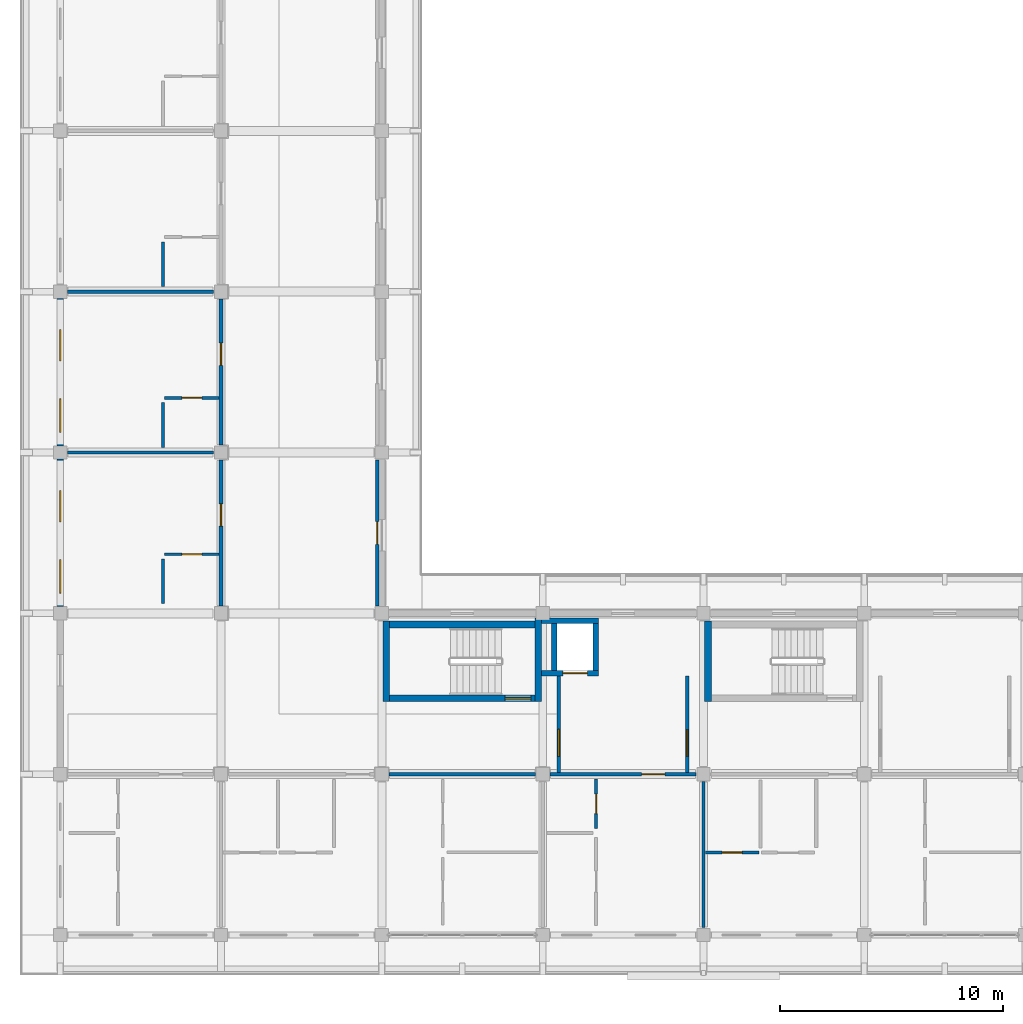
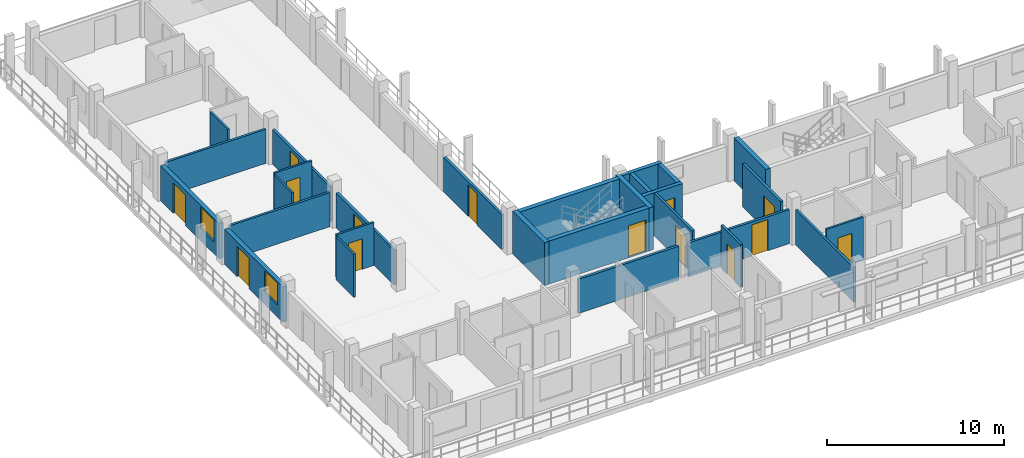
# One storey, part 114 of 157: 28 walls, 14 doors, 2 windows, 16 openings.
"""IFC4 building model written with IfcOpenShell, lengths in metres."""

from ifc_helpers import new_model, si_unit, direction, frame, frame_2d, origin, place, context, subcontext, project, spatial, rectangle, extrude, material, layer, layer_set, type_object, element, fill, save


model = new_model("IFC4")

# Units and contexts
model_context = context("Model", 3, precision=1e-05, world=origin(), true_north=direction((0.0, 1.0)))
body_context = subcontext(model_context, "Body", "Model", "MODEL_VIEW")
ifc_project = project(units=[si_unit("LENGTHUNIT", "METRE"), si_unit("AREAUNIT", "SQUARE_METRE"), si_unit("VOLUMEUNIT", "CUBIC_METRE"), si_unit("PLANEANGLEUNIT", "RADIAN"), si_unit("MASSUNIT", "GRAM", prefix="KILO")], contexts=[model_context])

# Site, building, storey
site_placement = place(None, origin())
site = spatial("IfcSite", under=ifc_project, at=site_placement, CompositionType="ELEMENT")
building_placement = place(site_placement, origin())
building = spatial("IfcBuilding", under=site, at=building_placement, Name="Suanplinth Sawtooth Commons", CompositionType="ELEMENT")
storey_placement = place(building_placement, frame((0.0, 0.0, 9.0)))
storey = spatial("IfcBuildingStorey", under=building, at=storey_placement, Name="L02", CompositionType="ELEMENT", Elevation=9.0)

# Wall, opening, door
ifc_material_1 = material(Name="Concrete C40/50", Category="concrete")
ifc_layer_1 = layer(ifc_material_1, 0.300048828125, Name="Standard RC stair and lift core wall 300mm")
ifc_layer_set_1 = layer_set([ifc_layer_1], Name="Concrete C40/50")
wall_type_1 = type_object("IfcWallType", Name="W-CR02", PredefinedType="SHEAR", material=ifc_layer_set_1)
wall_1_placement = place(storey_placement, frame((14.75, 10.60009765625, 0.0), z_axis=(0.0, 0.0, 1.0), x_axis=(1.0, 0.0, 0.0)))
wall_1 = element("IfcWall", 1, at=wall_1_placement, inside=storey, type_object=wall_type_1, Name="W-L02-C-D1-STS", PredefinedType="SHEAR", context=body_context, shape_type="SweptSolid", body=[
    extrude(rectangle(XDim=6.5, YDim=0.300048828125, at=frame_2d((3.25, 0.0))), origin(), (0.0, 0.0, 1.0), 2.9599609375),
])
opening_1_placement = place(wall_1_placement, frame((5.169921875, 0.0, 0.0)))
opening_1 = element("IfcOpeningElement", 2, at=opening_1_placement, cuts=wall_1, Name="Opening FD0369", PredefinedType="OPENING", context=body_context, shape_type="SweptSolid", body=[
    extrude(rectangle(XDim=1.14990234375, YDim=2.199951171875, at=frame_2d((0.574951171875, 1.10009765625))), frame((0.0, 0.1650390625, 0.0), z_axis=(0.0, -1.0, 0.0), x_axis=(1.0, 0.0, 0.0)), (0.0, 0.0, 1.0), 0.329833984375),
])
ifc_material_2 = material(Name="Teak hardwood fire-rated door assembly", Category="wood")
door_type_1 = type_object("IfcDoorType", Name="FD-01", OperationType="NOTDEFINED", PredefinedType="DOOR", material=ifc_material_2)
door_1_placement = place(opening_1_placement, origin())
door_1 = element("IfcDoor", 3, at=door_1_placement, inside=storey, type_object=door_type_1, Name="Exit Stair Fire Door FD0369", OperationType="SINGLE_SWING_LEFT", OverallHeight=2.199951171875, OverallWidth=1.14990234375, PredefinedType="DOOR", context=body_context, shape_type="SweptSolid", body=[
    extrude(rectangle(XDim=1.14990234375, YDim=2.199951171875, at=frame_2d((0.574951171875, 1.10009765625))), frame((0.0, 0.02490234375, 0.0), z_axis=(0.0, -1.0, 0.0), x_axis=(1.0, 0.0, 0.0)), (0.0, 0.0, 1.0), 0.050048828125),
])
fill(opening_1, door_1)

# Walls
wall_2_placement = place(storey_placement, frame((14.75, 13.89990234375, 0.0), z_axis=(0.0, 0.0, 1.0), x_axis=(1.0, 0.0, 0.0)))
element("IfcWall", 4, at=wall_2_placement, inside=storey, type_object=wall_type_1, Name="W-L02-C-D1-STN", PredefinedType="SHEAR", context=body_context, shape_type="SweptSolid", body=[
    extrude(rectangle(XDim=6.5, YDim=0.300048828125, at=frame_2d((3.25, 0.0))), origin(), (0.0, 0.0, 1.0), 2.9599609375),
])
wall_3_placement = place(storey_placement, frame((14.60009765625, 10.449951171875, 0.0), z_axis=(0.0, 0.0, 1.0), x_axis=(0.0, 1.0, 0.0)))
element("IfcWall", 5, at=wall_3_placement, inside=storey, type_object=wall_type_1, Name="W-L02-C-D1-STW", PredefinedType="SHEAR", context=body_context, shape_type="SweptSolid", body=[
    extrude(rectangle(XDim=3.60009765625, YDim=0.300048828125, at=frame_2d((1.800048828125, 0.0))), origin(), (0.0, 0.0, 1.0), 2.9599609375),
])
wall_4_placement = place(storey_placement, frame((21.39990234375, 10.449951171875, 0.0), z_axis=(0.0, 0.0, 1.0), x_axis=(0.0, 1.0, 0.0)))
element("IfcWall", 6, at=wall_4_placement, inside=storey, type_object=wall_type_1, Name="W-L02-C-D1-STE", PredefinedType="SHEAR", context=body_context, shape_type="SweptSolid", body=[
    extrude(rectangle(XDim=3.75, YDim=0.300048828125, at=frame_2d((1.875, 0.0))), origin(), (0.0, 0.0, 1.0), 2.9599609375),
])
wall_5_placement = place(storey_placement, frame((29.0, 10.449951171875, 0.0), z_axis=(0.0, 0.0, 1.0), x_axis=(0.0, 1.0, 0.0)))
element("IfcWall", 7, at=wall_5_placement, inside=storey, type_object=wall_type_1, Name="W-L02-C-D2-STW", PredefinedType="SHEAR", context=body_context, shape_type="SweptSolid", body=[
    extrude(rectangle(XDim=3.60009765625, YDim=0.300048828125, at=frame_2d((1.800048828125, 0.0))), origin(), (0.0, 0.0, 1.0), 2.9599609375),
])

# Wall, openings, door, window
ifc_material_3 = material(Name="Precast concrete C40/50", Category="concrete")
ifc_layer_2 = layer(ifc_material_3, 0.280029296875, Name="Insulated precast architectural facade wall 280mm")
ifc_layer_set_2 = layer_set([ifc_layer_2], Name="Precast concrete C40/50")
wall_type_2 = type_object("IfcWallType", Name="W-EX01", PredefinedType="ELEMENTEDWALL", material=ifc_layer_set_2)
wall_6_placement = place(storey_placement, frame((0.0, 14.699951171875, 0.0), z_axis=(0.0, 0.0, 1.0), x_axis=(0.0, 1.0, 0.0)))
wall_6 = element("IfcWall", 8, at=wall_6_placement, inside=storey, type_object=wall_type_2, Name="Facade Wall W-L02-D-W-0-2", PredefinedType="ELEMENTEDWALL", context=body_context, shape_type="SweptSolid", body=[
    extrude(rectangle(XDim=6.60009765625, YDim=0.280029296875, at=frame_2d((3.300048828125, 0.0))), origin(), (0.0, 0.0, 1.0), 2.425048828125),
])
opening_2_placement = place(wall_6_placement, frame((3.800048828125, 0.0, 0.0)))
opening_2 = element("IfcOpeningElement", 9, at=opening_2_placement, cuts=wall_6, Name="Opening ED0202", PredefinedType="OPENING", context=body_context, shape_type="SweptSolid", body=[
    extrude(rectangle(XDim=1.39990234375, YDim=2.10009765625, at=frame_2d((0.699951171875, 1.050048828125))), frame((0.0, 0.15478515625, 0.0), z_axis=(0.0, -1.0, 0.0), x_axis=(1.0, 0.0, 0.0)), (0.0, 0.0, 1.0), 0.309814453125),
])
opening_3_placement = place(wall_6_placement, frame((0.60009765625, 0.0, 0.81494140625)))
opening_3 = element("IfcOpeningElement", 10, at=opening_3_placement, cuts=wall_6, Name="Opening W0314", PredefinedType="OPENING", context=body_context, shape_type="SweptSolid", body=[
    extrude(rectangle(XDim=1.5, YDim=1.5, at=frame_2d((0.75, 0.75))), frame((0.0, 0.15478515625, 0.0), z_axis=(0.0, -1.0, 0.0), x_axis=(1.0, 0.0, 0.0)), (0.0, 0.0, 1.0), 0.309814453125),
])
ifc_material_4 = material(Name="Anodized aluminium and low-E glass", Category="aluminium")
door_type_2 = type_object("IfcDoorType", Name="SD-07", OperationType="SLIDING_TO_RIGHT", PredefinedType="DOOR", material=ifc_material_4)
door_2_placement = place(opening_2_placement, frame((1.39990234375, 0.0, 0.0), z_axis=(0.0, 0.0, 1.0), x_axis=(-1.0, 0.0, 0.0)))
door_2 = element("IfcDoor", 11, at=door_2_placement, inside=storey, type_object=door_type_2, Name="Wing Balcony Sliding Door L02-D-2", OperationType="SLIDING_TO_RIGHT", OverallHeight=2.10009765625, OverallWidth=1.39990234375, PredefinedType="DOOR", context=body_context, shape_type="SweptSolid", body=[
    extrude(rectangle(XDim=1.39990234375, YDim=2.10009765625, at=frame_2d((0.699951171875, 1.050048828125))), frame((0.0, 0.02490234375, 0.0), z_axis=(0.0, -1.0, 0.0), x_axis=(1.0, 0.0, 0.0)), (0.0, 0.0, 1.0), 0.050048828125),
])
fill(opening_2, door_2)
ifc_material_5 = material(Name="Thermally broken aluminium and low-E double glazing", Category="aluminium")
window_type = type_object("IfcWindowType", Name="WN-02", PartitioningType="DOUBLE_PANEL_VERTICAL", PredefinedType="WINDOW", material=ifc_material_5)
window_1_placement = place(opening_3_placement, origin())
window_1 = element("IfcWindow", 12, at=window_1_placement, inside=storey, type_object=window_type, Name="Wing Window L02-D-2", OverallHeight=1.5, OverallWidth=1.5, PartitioningType="DOUBLE_PANEL_VERTICAL", PredefinedType="WINDOW", context=body_context, shape_type="SweptSolid", body=[
    extrude(rectangle(XDim=1.5, YDim=1.5, at=frame_2d((0.75, 0.75))), frame((0.0, 0.030029296875, 0.0), z_axis=(0.0, -1.0, 0.0), x_axis=(1.0, 0.0, 0.0)), (0.0, 0.0, 1.0), 0.06005859375),
])
fill(opening_3, window_1)

wall_7_placement = place(storey_placement, frame((0.0, 21.89990234375, 0.0), z_axis=(0.0, 0.0, 1.0), x_axis=(0.0, 1.0, 0.0)))
wall_7 = element("IfcWall", 13, at=wall_7_placement, inside=storey, type_object=wall_type_2, Name="Facade Wall W-L02-D-W-0-3", PredefinedType="ELEMENTEDWALL", context=body_context, shape_type="SweptSolid", body=[
    extrude(rectangle(XDim=6.60009765625, YDim=0.280029296875, at=frame_2d((3.300048828125, 0.0))), origin(), (0.0, 0.0, 1.0), 2.425048828125),
])
opening_4_placement = place(wall_7_placement, frame((3.800048828125, 0.0, 0.0)))
opening_4 = element("IfcOpeningElement", 14, at=opening_4_placement, cuts=wall_7, Name="Opening ED0203", PredefinedType="OPENING", context=body_context, shape_type="SweptSolid", body=[
    extrude(rectangle(XDim=1.39990234375, YDim=2.10009765625, at=frame_2d((0.699951171875, 1.050048828125))), frame((0.0, 0.15478515625, 0.0), z_axis=(0.0, -1.0, 0.0), x_axis=(1.0, 0.0, 0.0)), (0.0, 0.0, 1.0), 0.309814453125),
])
opening_5_placement = place(wall_7_placement, frame((0.60009765625, 0.0, 0.81494140625)))
opening_5 = element("IfcOpeningElement", 15, at=opening_5_placement, cuts=wall_7, Name="Opening W0315", PredefinedType="OPENING", context=body_context, shape_type="SweptSolid", body=[
    extrude(rectangle(XDim=1.5, YDim=1.5, at=frame_2d((0.75, 0.75))), frame((0.0, 0.15478515625, 0.0), z_axis=(0.0, -1.0, 0.0), x_axis=(1.0, 0.0, 0.0)), (0.0, 0.0, 1.0), 0.309814453125),
])
door_3_placement = place(opening_4_placement, frame((1.39990234375, 0.0, 0.0), z_axis=(0.0, 0.0, 1.0), x_axis=(-1.0, 0.0, 0.0)))
door_3 = element("IfcDoor", 16, at=door_3_placement, inside=storey, type_object=door_type_2, Name="Wing Balcony Sliding Door L02-D-3", OperationType="SLIDING_TO_RIGHT", OverallHeight=2.10009765625, OverallWidth=1.39990234375, PredefinedType="DOOR", context=body_context, shape_type="SweptSolid", body=[
    extrude(rectangle(XDim=1.39990234375, YDim=2.10009765625, at=frame_2d((0.699951171875, 1.050048828125))), frame((0.0, 0.02490234375, 0.0), z_axis=(0.0, -1.0, 0.0), x_axis=(1.0, 0.0, 0.0)), (0.0, 0.0, 1.0), 0.050048828125),
])
fill(opening_4, door_3)
window_2_placement = place(opening_5_placement, origin())
window_2 = element("IfcWindow", 17, at=window_2_placement, inside=storey, type_object=window_type, Name="Wing Window L02-D-3", OverallHeight=1.5, OverallWidth=1.5, PartitioningType="DOUBLE_PANEL_VERTICAL", PredefinedType="WINDOW", context=body_context, shape_type="SweptSolid", body=[
    extrude(rectangle(XDim=1.5, YDim=1.5, at=frame_2d((0.75, 0.75))), frame((0.0, 0.030029296875, 0.0), z_axis=(0.0, -1.0, 0.0), x_axis=(1.0, 0.0, 0.0)), (0.0, 0.0, 1.0), 0.06005859375),
])
fill(opening_5, window_2)

# Wall, opening, door
ifc_layer_3 = layer(ifc_material_3, 0.159912109375, Name="Fire-rated corridor and lobby wall 160mm")
ifc_layer_set_3 = layer_set([ifc_layer_3], Name="Precast concrete C40/50")
wall_type_3 = type_object("IfcWallType", Name="W-FW01", PredefinedType="PARTITIONING", material=ifc_layer_set_3)
wall_8_placement = place(storey_placement, frame((22.320068359375, 7.280029296875, 0.0), z_axis=(0.0, 0.0, 1.0), x_axis=(0.0, 1.0, 0.0)))
wall_8 = element("IfcWall", 18, at=wall_8_placement, inside=storey, type_object=wall_type_3, Name="W-L02-C-D1-LOB-W", PredefinedType="PARTITIONING", context=body_context, shape_type="SweptSolid", body=[
    extrude(rectangle(XDim=4.320068359375, YDim=0.159912109375, at=frame_2d((2.16015625, 0.0))), origin(), (0.0, 0.0, 1.0), 2.9599609375),
])
opening_6_placement = place(wall_8_placement, frame((0.719970703125, 0.0, 0.0)))
opening_6 = element("IfcOpeningElement", 19, at=opening_6_placement, cuts=wall_8, Name="Opening FD0370", PredefinedType="OPENING", context=body_context, shape_type="SweptSolid", body=[
    extrude(rectangle(XDim=1.199951171875, YDim=2.199951171875, at=frame_2d((0.60009765625, 1.10009765625))), frame((0.0, 0.0947265625, 0.0), z_axis=(0.0, -1.0, 0.0), x_axis=(1.0, 0.0, 0.0)), (0.0, 0.0, 1.0), 0.189697265625),
])
door_type_3 = type_object("IfcDoorType", Name="FD-02", OperationType="NOTDEFINED", PredefinedType="DOOR", material=ifc_material_2)
door_4_placement = place(opening_6_placement, origin())
door_4 = element("IfcDoor", 20, at=door_4_placement, inside=storey, type_object=door_type_3, Name="Lobby Fire Door FD0370", OperationType="SINGLE_SWING_RIGHT", OverallHeight=2.199951171875, OverallWidth=1.199951171875, PredefinedType="DOOR", context=body_context, shape_type="SweptSolid", body=[
    extrude(rectangle(XDim=1.199951171875, YDim=2.199951171875, at=frame_2d((0.60009765625, 1.10009765625))), frame((0.0, 0.02490234375, 0.0), z_axis=(0.0, -1.0, 0.0), x_axis=(1.0, 0.0, 0.0)), (0.0, 0.0, 1.0), 0.050048828125),
])
fill(opening_6, door_4)

wall_9_placement = place(storey_placement, frame((28.080078125, 7.280029296875, 0.0), z_axis=(0.0, 0.0, 1.0), x_axis=(0.0, 1.0, 0.0)))
wall_9 = element("IfcWall", 21, at=wall_9_placement, inside=storey, type_object=wall_type_3, Name="W-L02-C-D1-LOB-E", PredefinedType="PARTITIONING", context=body_context, shape_type="SweptSolid", body=[
    extrude(rectangle(XDim=4.320068359375, YDim=0.159912109375, at=frame_2d((2.16015625, 0.0))), origin(), (0.0, 0.0, 1.0), 2.9599609375),
])
opening_7_placement = place(wall_9_placement, frame((0.719970703125, 0.0, 0.0)))
opening_7 = element("IfcOpeningElement", 22, at=opening_7_placement, cuts=wall_9, Name="Opening FD0371", PredefinedType="OPENING", context=body_context, shape_type="SweptSolid", body=[
    extrude(rectangle(XDim=1.199951171875, YDim=2.199951171875, at=frame_2d((0.60009765625, 1.10009765625))), frame((0.0, 0.0947265625, 0.0), z_axis=(0.0, -1.0, 0.0), x_axis=(1.0, 0.0, 0.0)), (0.0, 0.0, 1.0), 0.189697265625),
])
door_5_placement = place(opening_7_placement, frame((1.199951171875, 0.0, 0.0), z_axis=(0.0, 0.0, 1.0), x_axis=(-1.0, 0.0, 0.0)))
door_5 = element("IfcDoor", 23, at=door_5_placement, inside=storey, type_object=door_type_3, Name="Lobby Fire Door FD0371", OperationType="SINGLE_SWING_LEFT", OverallHeight=2.199951171875, OverallWidth=1.199951171875, PredefinedType="DOOR", context=body_context, shape_type="SweptSolid", body=[
    extrude(rectangle(XDim=1.199951171875, YDim=2.199951171875, at=frame_2d((0.60009765625, 1.10009765625))), frame((0.0, 0.02490234375, 0.0), z_axis=(0.0, -1.0, 0.0), x_axis=(1.0, 0.0, 0.0)), (0.0, 0.0, 1.0), 0.050048828125),
])
fill(opening_7, door_5)

# Wall
wall_10_placement = place(storey_placement, frame((14.72998046875, 7.199951171875, 0.0), z_axis=(0.0, 0.0, 1.0), x_axis=(1.0, 0.0, 0.0)))
element("IfcWall", 24, at=wall_10_placement, inside=storey, type_object=wall_type_3, Name="W-D-L02-U02-COR-S2", PredefinedType="PARTITIONING", context=body_context, shape_type="SweptSolid", body=[
    extrude(rectangle(XDim=6.5400390625, YDim=0.159912109375, at=frame_2d((3.27001953125, 0.0))), origin(), (0.0, 0.0, 1.0), 2.344970703125),
])

# Wall, opening, door
wall_11_placement = place(storey_placement, frame((21.929931640625, 7.199951171875, 0.0), z_axis=(0.0, 0.0, 1.0), x_axis=(1.0, 0.0, 0.0)))
wall_11 = element("IfcWall", 25, at=wall_11_placement, inside=storey, type_object=wall_type_3, Name="W-D-L02-U03-COR", PredefinedType="PARTITIONING", context=body_context, shape_type="SweptSolid", body=[
    extrude(rectangle(XDim=6.5400390625, YDim=0.159912109375, at=frame_2d((3.27001953125, 0.0))), origin(), (0.0, 0.0, 1.0), 2.344970703125),
])
opening_8_placement = place(wall_11_placement, frame((4.094970703125, 0.0, 0.0)))
opening_8 = element("IfcOpeningElement", 26, at=opening_8_placement, cuts=wall_11, Name="Opening FD0837", PredefinedType="OPENING", context=body_context, shape_type="SweptSolid", body=[
    extrude(rectangle(XDim=1.050048828125, YDim=2.14990234375, at=frame_2d((0.52490234375, 1.074951171875))), frame((0.0, 0.0947265625, 0.0), z_axis=(0.0, -1.0, 0.0), x_axis=(1.0, 0.0, 0.0)), (0.0, 0.0, 1.0), 0.189697265625),
])
door_type_4 = type_object("IfcDoorType", Name="FD-04", OperationType="NOTDEFINED", PredefinedType="DOOR", material=ifc_material_2)
door_6_placement = place(opening_8_placement, frame((1.050048828125, 0.0, 0.0), z_axis=(0.0, 0.0, 1.0), x_axis=(-1.0, 0.0, 0.0)))
door_6 = element("IfcDoor", 27, at=door_6_placement, inside=storey, type_object=door_type_4, Name="Unit Entrance Door FD0837", OperationType="SINGLE_SWING_LEFT", OverallHeight=2.14990234375, OverallWidth=1.050048828125, PredefinedType="DOOR", context=body_context, shape_type="SweptSolid", body=[
    extrude(rectangle(XDim=1.050048828125, YDim=2.14990234375, at=frame_2d((0.52490234375, 1.074951171875))), frame((0.0, 0.02490234375, 0.0), z_axis=(0.0, -1.0, 0.0), x_axis=(1.0, 0.0, 0.0)), (0.0, 0.0, 1.0), 0.050048828125),
])
fill(opening_8, door_6)

wall_12_placement = place(storey_placement, frame((7.199951171875, 14.72998046875, 0.0), z_axis=(0.0, 0.0, 1.0), x_axis=(0.0, 1.0, 0.0)))
wall_12 = element("IfcWall", 28, at=wall_12_placement, inside=storey, type_object=wall_type_3, Name="W-D-L02-L01-COR", PredefinedType="PARTITIONING", context=body_context, shape_type="SweptSolid", body=[
    extrude(rectangle(XDim=6.5400390625, YDim=0.159912109375, at=frame_2d((3.27001953125, 0.0))), origin(), (0.0, 0.0, 1.0), 2.39501953125),
])
opening_9_placement = place(wall_12_placement, frame((3.570068359375, 0.0, 0.0)))
opening_9 = element("IfcOpeningElement", 29, at=opening_9_placement, cuts=wall_12, Name="Opening FD0854", PredefinedType="OPENING", context=body_context, shape_type="SweptSolid", body=[
    extrude(rectangle(XDim=1.0, YDim=2.14990234375, at=frame_2d((0.5, 1.074951171875))), frame((0.0, 0.0947265625, 0.0), z_axis=(0.0, -1.0, 0.0), x_axis=(1.0, 0.0, 0.0)), (0.0, 0.0, 1.0), 0.189697265625),
])
door_type_5 = type_object("IfcDoorType", Name="FD-03", OperationType="NOTDEFINED", PredefinedType="DOOR", material=ifc_material_2)
door_7_placement = place(opening_9_placement, origin())
door_7 = element("IfcDoor", 30, at=door_7_placement, inside=storey, type_object=door_type_5, Name="Wing Unit Entrance Door FD0854", OperationType="SINGLE_SWING_RIGHT", OverallHeight=2.14990234375, OverallWidth=1.0, PredefinedType="DOOR", context=body_context, shape_type="SweptSolid", body=[
    extrude(rectangle(XDim=1.0, YDim=2.14990234375, at=frame_2d((0.5, 1.074951171875))), frame((0.0, 0.02490234375, 0.0), z_axis=(0.0, -1.0, 0.0), x_axis=(1.0, 0.0, 0.0)), (0.0, 0.0, 1.0), 0.050048828125),
])
fill(opening_9, door_7)

wall_13_placement = place(storey_placement, frame((14.199951171875, 14.72998046875, 0.0), z_axis=(0.0, 0.0, 1.0), x_axis=(0.0, 1.0, 0.0)))
wall_13 = element("IfcWall", 31, at=wall_13_placement, inside=storey, type_object=wall_type_3, Name="W-D-L02-LEGCOURTROOM-69-COR", PredefinedType="PARTITIONING", context=body_context, shape_type="SweptSolid", body=[
    extrude(rectangle(XDim=6.5400390625, YDim=0.159912109375, at=frame_2d((3.27001953125, 0.0))), origin(), (0.0, 0.0, 1.0), 2.39501953125),
])
opening_10_placement = place(wall_13_placement, frame((2.760009765625, 0.0, 0.0)))
opening_10 = element("IfcOpeningElement", 32, at=opening_10_placement, cuts=wall_13, Name="Opening D0856", PredefinedType="OPENING", context=body_context, shape_type="SweptSolid", body=[
    extrude(rectangle(XDim=1.02001953125, YDim=2.179931640625, at=frame_2d((0.510009765625, 1.08984375))), frame((0.0, 0.0947265625, 0.0), z_axis=(0.0, -1.0, 0.0), x_axis=(1.0, 0.0, 0.0)), (0.0, 0.0, 1.0), 0.189697265625),
])
ifc_material_6 = material(Name="Teak hardwood", Category="wood")
door_type_6 = type_object("IfcDoorType", Name="D-16", OperationType="NOTDEFINED", PredefinedType="DOOR", material=ifc_material_6)
door_8_placement = place(opening_10_placement, frame((1.02001953125, 0.0, 0.0), z_axis=(0.0, 0.0, 1.0), x_axis=(-1.0, 0.0, 0.0)))
door_8 = element("IfcDoor", 33, at=door_8_placement, inside=storey, type_object=door_type_6, Name="Veranda Studio Door D0856", OperationType="SINGLE_SWING_RIGHT", OverallHeight=2.179931640625, OverallWidth=1.02001953125, PredefinedType="DOOR", context=body_context, shape_type="SweptSolid", body=[
    extrude(rectangle(XDim=1.02001953125, YDim=2.179931640625, at=frame_2d((0.510009765625, 1.08984375))), frame((0.0, 0.02490234375, 0.0), z_axis=(0.0, -1.0, 0.0), x_axis=(1.0, 0.0, 0.0)), (0.0, 0.0, 1.0), 0.050048828125),
])
fill(opening_10, door_8)

wall_14_placement = place(storey_placement, frame((7.199951171875, 21.929931640625, 0.0), z_axis=(0.0, 0.0, 1.0), x_axis=(0.0, 1.0, 0.0)))
wall_14 = element("IfcWall", 34, at=wall_14_placement, inside=storey, type_object=wall_type_3, Name="W-D-L02-L02-COR", PredefinedType="PARTITIONING", context=body_context, shape_type="SweptSolid", body=[
    extrude(rectangle(XDim=6.5400390625, YDim=0.159912109375, at=frame_2d((3.27001953125, 0.0))), origin(), (0.0, 0.0, 1.0), 2.39501953125),
])
opening_11_placement = place(wall_14_placement, frame((3.570068359375, 0.0, 0.0)))
opening_11 = element("IfcOpeningElement", 35, at=opening_11_placement, cuts=wall_14, Name="Opening FD0857", PredefinedType="OPENING", context=body_context, shape_type="SweptSolid", body=[
    extrude(rectangle(XDim=1.0, YDim=2.14990234375, at=frame_2d((0.5, 1.074951171875))), frame((0.0, 0.0947265625, 0.0), z_axis=(0.0, -1.0, 0.0), x_axis=(1.0, 0.0, 0.0)), (0.0, 0.0, 1.0), 0.189697265625),
])
door_9_placement = place(opening_11_placement, origin())
door_9 = element("IfcDoor", 36, at=door_9_placement, inside=storey, type_object=door_type_5, Name="Wing Unit Entrance Door FD0857", OperationType="SINGLE_SWING_LEFT", OverallHeight=2.14990234375, OverallWidth=1.0, PredefinedType="DOOR", context=body_context, shape_type="SweptSolid", body=[
    extrude(rectangle(XDim=1.0, YDim=2.14990234375, at=frame_2d((0.5, 1.074951171875))), frame((0.0, 0.02490234375, 0.0), z_axis=(0.0, -1.0, 0.0), x_axis=(1.0, 0.0, 0.0)), (0.0, 0.0, 1.0), 0.050048828125),
])
fill(opening_11, door_9)

# Walls
ifc_layer_4 = layer(ifc_material_3, 0.14990234375, Name="Acoustic precast party demising wall 150mm")
ifc_layer_set_4 = layer_set([ifc_layer_4], Name="Precast concrete C40/50")
wall_type_4 = type_object("IfcWallType", Name="W-FW02", PredefinedType="PARTITIONING", material=ifc_layer_set_4)
wall_15_placement = place(storey_placement, frame((28.800048828125, 0.330078125, 0.0), z_axis=(0.0, 0.0, 1.0), x_axis=(0.0, 1.0, 0.0)))
element("IfcWall", 37, at=wall_15_placement, inside=storey, type_object=wall_type_4, Name="W-D-L02-U03-PTY", PredefinedType="PARTITIONING", context=body_context, shape_type="SweptSolid", body=[
    extrude(rectangle(XDim=6.5400390625, YDim=0.14990234375, at=frame_2d((3.27001953125, 0.0))), origin(), (0.0, 0.0, 1.0), 2.39501953125),
])
for number, where, z_axis, x_axis, name in (
    (38, (0.330078125, 21.60009765625, 0.0), (0.0, 0.0, 1.0), (1.0, 0.0, 0.0), "W-D-L02-L01-PTY"),
    (39, (0.330078125, 28.800048828125, 0.0), (0.0, 0.0, 1.0), (1.0, 0.0, 0.0), "W-D-L02-L02-PTY"),
):
    element("IfcWall", number, at=place(storey_placement, frame(where, z_axis=z_axis, x_axis=x_axis)), inside=storey, type_object=wall_type_4, Name=name, PredefinedType="PARTITIONING", context=body_context, shape_type="SweptSolid", body=[
        extrude(rectangle(XDim=6.5400390625, YDim=0.14990234375, at=frame_2d((3.27001953125, 0.0))), origin(), (0.0, 0.0, 1.0), 2.344970703125),
    ])

# Wall, opening, door
ifc_material_7 = material(Name="Gypsum plasterboard on steel stud", Category="steel")
ifc_layer_5 = layer(ifc_material_7, 0.1298828125, Name="Moisture-resistant bathroom partition 130mm")
ifc_layer_set_5 = layer_set([ifc_layer_5], Name="Gypsum plasterboard on steel stud")
wall_type_5 = type_object("IfcWallType", Name="W-PT02", PredefinedType="PARTITIONING", material=ifc_layer_set_5)
wall_16_placement = place(storey_placement, frame((23.9951171875, 4.760009765625, 0.0), z_axis=(0.0, 0.0, 1.0), x_axis=(0.0, 1.0, 0.0)))
wall_16 = element("IfcWall", 40, at=wall_16_placement, inside=storey, type_object=wall_type_5, Name="W-D-L02-U03-BTHE", PredefinedType="PARTITIONING", context=body_context, shape_type="SweptSolid", body=[
    extrude(rectangle(XDim=2.219970703125, YDim=0.1298828125, at=frame_2d((1.10986328125, 0.0))), origin(), (0.0, 0.0, 1.0), 2.9599609375),
])
opening_12_placement = place(wall_16_placement, frame((0.669921875, 0.0, 0.0)))
opening_12 = element("IfcOpeningElement", 41, at=opening_12_placement, cuts=wall_16, Name="Opening D0838", PredefinedType="OPENING", context=body_context, shape_type="SweptSolid", body=[
    extrude(rectangle(XDim=0.8798828125, YDim=2.10009765625, at=frame_2d((0.43994140625, 1.050048828125))), frame((0.0, 0.079833984375, 0.0), z_axis=(0.0, -1.0, 0.0), x_axis=(1.0, 0.0, 0.0)), (0.0, 0.0, 1.0), 0.15966796875),
])
door_type_7 = type_object("IfcDoorType", Name="D-14", OperationType="NOTDEFINED", PredefinedType="DOOR", material=ifc_material_6)
door_10_placement = place(opening_12_placement, origin())
door_10 = element("IfcDoor", 42, at=door_10_placement, inside=storey, type_object=door_type_7, Name="Bathroom Door D0838", OperationType="SINGLE_SWING_RIGHT", OverallHeight=2.10009765625, OverallWidth=0.8798828125, PredefinedType="DOOR", context=body_context, shape_type="SweptSolid", body=[
    extrude(rectangle(XDim=0.8798828125, YDim=2.10009765625, at=frame_2d((0.43994140625, 1.050048828125))), frame((0.0, 0.02490234375, 0.0), z_axis=(0.0, -1.0, 0.0), x_axis=(1.0, 0.0, 0.0)), (0.0, 0.0, 1.0), 0.050048828125),
])
fill(opening_12, door_10)

wall_17_placement = place(storey_placement, frame((28.8798828125, 3.695068359375, 0.0), z_axis=(0.0, 0.0, 1.0), x_axis=(1.0, 0.0, 0.0)))
wall_17 = element("IfcWall", 43, at=wall_17_placement, inside=storey, type_object=wall_type_5, Name="W-D-L02-U04-BTH1", PredefinedType="PARTITIONING", context=body_context, shape_type="SweptSolid", body=[
    extrude(rectangle(XDim=2.400146484375, YDim=0.1298828125, at=frame_2d((1.2001953125, 0.0))), origin(), (0.0, 0.0, 1.0), 2.9599609375),
])
opening_13_placement = place(wall_17_placement, frame((0.75, 0.0, 0.0)))
opening_13 = element("IfcOpeningElement", 44, at=opening_13_placement, cuts=wall_17, Name="Opening D0841", PredefinedType="OPENING", context=body_context, shape_type="SweptSolid", body=[
    extrude(rectangle(XDim=0.89990234375, YDim=2.10009765625, at=frame_2d((0.449951171875, 1.050048828125))), frame((0.0, 0.079833984375, 0.0), z_axis=(0.0, -1.0, 0.0), x_axis=(1.0, 0.0, 0.0)), (0.0, 0.0, 1.0), 0.15966796875),
])
door_type_8 = type_object("IfcDoorType", Name="D-01", OperationType="NOTDEFINED", PredefinedType="DOOR", material=ifc_material_6)
door_11_placement = place(opening_13_placement, origin())
door_11 = element("IfcDoor", 45, at=door_11_placement, inside=storey, type_object=door_type_8, Name="Bathroom Door D0841", OperationType="SINGLE_SWING_LEFT", OverallHeight=2.10009765625, OverallWidth=0.89990234375, PredefinedType="DOOR", context=body_context, shape_type="SweptSolid", body=[
    extrude(rectangle(XDim=0.89990234375, YDim=2.10009765625, at=frame_2d((0.449951171875, 1.050048828125))), frame((0.0, 0.02490234375, 0.0), z_axis=(0.0, -1.0, 0.0), x_axis=(1.0, 0.0, 0.0)), (0.0, 0.0, 1.0), 0.050048828125),
])
fill(opening_13, door_11)

wall_18_placement = place(storey_placement, frame((4.669921875, 17.044921875, 0.0), z_axis=(0.0, 0.0, 1.0), x_axis=(1.0, 0.0, 0.0)))
wall_18 = element("IfcWall", 46, at=wall_18_placement, inside=storey, type_object=wall_type_5, Name="W-D-L02-L01-BTH1", PredefinedType="PARTITIONING", context=body_context, shape_type="SweptSolid", body=[
    extrude(rectangle(XDim=2.4501953125, YDim=0.1298828125, at=frame_2d((1.22509765625, 0.0))), origin(), (0.0, 0.0, 1.0), 2.9599609375),
])
opening_14_placement = place(wall_18_placement, frame((0.77490234375, 0.0, 0.0)))
opening_14 = element("IfcOpeningElement", 47, at=opening_14_placement, cuts=wall_18, Name="Opening D0855", PredefinedType="OPENING", context=body_context, shape_type="SweptSolid", body=[
    extrude(rectangle(XDim=0.89990234375, YDim=2.10009765625, at=frame_2d((0.449951171875, 1.050048828125))), frame((0.0, 0.079833984375, 0.0), z_axis=(0.0, -1.0, 0.0), x_axis=(1.0, 0.0, 0.0)), (0.0, 0.0, 1.0), 0.15966796875),
])
door_12_placement = place(opening_14_placement, frame((0.89990234375, 0.0, 0.0), z_axis=(0.0, 0.0, 1.0), x_axis=(-1.0, 0.0, 0.0)))
door_12 = element("IfcDoor", 48, at=door_12_placement, inside=storey, type_object=door_type_8, Name="Bathroom Door D0855", OperationType="SINGLE_SWING_LEFT", OverallHeight=2.10009765625, OverallWidth=0.89990234375, PredefinedType="DOOR", context=body_context, shape_type="SweptSolid", body=[
    extrude(rectangle(XDim=0.89990234375, YDim=2.10009765625, at=frame_2d((0.449951171875, 1.050048828125))), frame((0.0, 0.02490234375, 0.0), z_axis=(0.0, -1.0, 0.0), x_axis=(1.0, 0.0, 0.0)), (0.0, 0.0, 1.0), 0.050048828125),
])
fill(opening_14, door_12)

# Wall
wall_19_placement = place(storey_placement, frame((4.60498046875, 14.830078125, 0.0), z_axis=(0.0, 0.0, 1.0), x_axis=(0.0, 1.0, 0.0)))
element("IfcWall", 49, at=wall_19_placement, inside=storey, type_object=wall_type_5, Name="W-D-L02-L01-BTH2", PredefinedType="PARTITIONING", context=body_context, shape_type="SweptSolid", body=[
    extrude(rectangle(XDim=2.0, YDim=0.1298828125, at=frame_2d((1.0, 0.0))), origin(), (0.0, 0.0, 1.0), 2.9599609375),
])

# Wall, opening, door
wall_20_placement = place(storey_placement, frame((4.669921875, 24.044921875, 0.0), z_axis=(0.0, 0.0, 1.0), x_axis=(1.0, 0.0, 0.0)))
wall_20 = element("IfcWall", 50, at=wall_20_placement, inside=storey, type_object=wall_type_5, Name="W-D-L02-L02-BTH1", PredefinedType="PARTITIONING", context=body_context, shape_type="SweptSolid", body=[
    extrude(rectangle(XDim=2.4501953125, YDim=0.1298828125, at=frame_2d((1.22509765625, 0.0))), origin(), (0.0, 0.0, 1.0), 2.9599609375),
])
opening_15_placement = place(wall_20_placement, frame((0.77490234375, 0.0, 0.0)))
opening_15 = element("IfcOpeningElement", 51, at=opening_15_placement, cuts=wall_20, Name="Opening D0858", PredefinedType="OPENING", context=body_context, shape_type="SweptSolid", body=[
    extrude(rectangle(XDim=0.89990234375, YDim=2.10009765625, at=frame_2d((0.449951171875, 1.050048828125))), frame((0.0, 0.079833984375, 0.0), z_axis=(0.0, -1.0, 0.0), x_axis=(1.0, 0.0, 0.0)), (0.0, 0.0, 1.0), 0.15966796875),
])
door_13_placement = place(opening_15_placement, frame((0.89990234375, 0.0, 0.0), z_axis=(0.0, 0.0, 1.0), x_axis=(-1.0, 0.0, 0.0)))
door_13 = element("IfcDoor", 52, at=door_13_placement, inside=storey, type_object=door_type_8, Name="Bathroom Door D0858", OperationType="SINGLE_SWING_RIGHT", OverallHeight=2.10009765625, OverallWidth=0.89990234375, PredefinedType="DOOR", context=body_context, shape_type="SweptSolid", body=[
    extrude(rectangle(XDim=0.89990234375, YDim=2.10009765625, at=frame_2d((0.449951171875, 1.050048828125))), frame((0.0, 0.02490234375, 0.0), z_axis=(0.0, -1.0, 0.0), x_axis=(1.0, 0.0, 0.0)), (0.0, 0.0, 1.0), 0.050048828125),
])
fill(opening_15, door_13)

# Walls
for number, where, z_axis, x_axis, name in (
    (53, (4.60498046875, 21.830078125, 0.0), (0.0, 0.0, 1.0), (0.0, 1.0, 0.0), "W-D-L02-L02-BTH2"),
    (54, (4.60498046875, 29.030029296875, 0.0), (0.0, 0.0, 1.0), (0.0, 1.0, 0.0), "W-D-L02-L03-BTH2"),
):
    element("IfcWall", number, at=place(storey_placement, frame(where, z_axis=z_axis, x_axis=x_axis)), inside=storey, type_object=wall_type_5, Name=name, PredefinedType="PARTITIONING", context=body_context, shape_type="SweptSolid", body=[
        extrude(rectangle(XDim=2.0, YDim=0.1298828125, at=frame_2d((1.0, 0.0))), origin(), (0.0, 0.0, 1.0), 2.9599609375),
    ])

# Wall, opening, door
ifc_layer_6 = layer(ifc_material_3, 0.25, Name="Precast structural shear wall 250mm")
ifc_layer_set_6 = layer_set([ifc_layer_6], Name="Precast concrete C40/50")
wall_type_6 = type_object("IfcWallType", Name="W-SH01", PredefinedType="SHEAR", material=ifc_layer_set_6)
wall_21_placement = place(storey_placement, frame((21.550048828125, 11.72509765625, 0.0), z_axis=(0.0, 0.0, 1.0), x_axis=(1.0, 0.0, 0.0)))
wall_21 = element("IfcWall", 55, at=wall_21_placement, inside=storey, type_object=wall_type_6, Name="W-L02-LF6-S", PredefinedType="SHEAR", context=body_context, shape_type="SweptSolid", body=[
    extrude(rectangle(XDim=2.550048828125, YDim=0.25, at=frame_2d((1.27490234375, 0.0))), origin(), (0.0, 0.0, 1.0), 2.9599609375),
])
opening_16_placement = place(wall_21_placement, frame((0.949951171875, 0.0, 0.0)))
opening_16 = element("IfcOpeningElement", 56, at=opening_16_placement, cuts=wall_21, Name="Opening LD0372", PredefinedType="OPENING", context=body_context, shape_type="SweptSolid", body=[
    extrude(rectangle(XDim=1.10009765625, YDim=2.14990234375, at=frame_2d((0.550048828125, 1.074951171875))), frame((0.0, 0.139892578125, 0.0), z_axis=(0.0, -1.0, 0.0), x_axis=(1.0, 0.0, 0.0)), (0.0, 0.0, 1.0), 0.27978515625),
])
ifc_material_8 = material(Name="Stainless steel Grade 304", Category="steel")
door_type_9 = type_object("IfcDoorType", Name="LD-01", OperationType="SLIDING_TO_LEFT", PredefinedType="DOOR", material=ifc_material_8)
door_14_placement = place(opening_16_placement, frame((1.10009765625, 0.0, 0.0), z_axis=(0.0, 0.0, 1.0), x_axis=(-1.0, 0.0, 0.0)))
door_14 = element("IfcDoor", 57, at=door_14_placement, inside=storey, type_object=door_type_9, Name="Lift Landing Sliding Door LF6 L02", OperationType="SLIDING_TO_LEFT", OverallHeight=2.14990234375, OverallWidth=1.10009765625, PredefinedType="DOOR", context=body_context, shape_type="SweptSolid", body=[
    extrude(rectangle(XDim=1.10009765625, YDim=2.14990234375, at=frame_2d((0.550048828125, 1.074951171875))), frame((0.0, 0.02490234375, 0.0), z_axis=(0.0, -1.0, 0.0), x_axis=(1.0, 0.0, 0.0)), (0.0, 0.0, 1.0), 0.050048828125),
])
fill(opening_16, door_14)

# Walls
wall_22_placement = place(storey_placement, frame((21.550048828125, 14.074951171875, 0.0), z_axis=(0.0, 0.0, 1.0), x_axis=(1.0, 0.0, 0.0)))
element("IfcWall", 58, at=wall_22_placement, inside=storey, type_object=wall_type_6, Name="W-L02-LF6-N", PredefinedType="SHEAR", context=body_context, shape_type="SweptSolid", body=[
    extrude(rectangle(XDim=2.550048828125, YDim=0.25, at=frame_2d((1.27490234375, 0.0))), origin(), (0.0, 0.0, 1.0), 2.9599609375),
])
for number, where, z_axis, x_axis, name in (
    (59, (22.125, 11.85009765625, 0.0), (0.0, 0.0, 1.0), (0.0, 1.0, 0.0), "W-L02-LF6-W"),
    (60, (23.97509765625, 11.85009765625, 0.0), (0.0, 0.0, 1.0), (0.0, 1.0, 0.0), "W-L02-LF6-E"),
):
    element("IfcWall", number, at=place(storey_placement, frame(where, z_axis=z_axis, x_axis=x_axis)), inside=storey, type_object=wall_type_6, Name=name, PredefinedType="SHEAR", context=body_context, shape_type="SweptSolid", body=[
        extrude(rectangle(XDim=2.099853515625, YDim=0.25, at=frame_2d((1.0498046875, 0.0))), origin(), (0.0, 0.0, 1.0), 2.9599609375),
    ])

save(model, "model.ifc")
